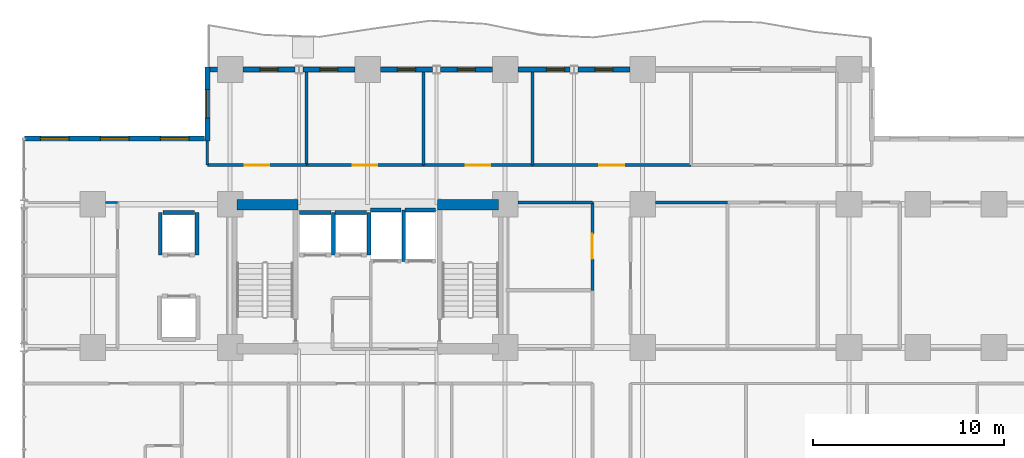
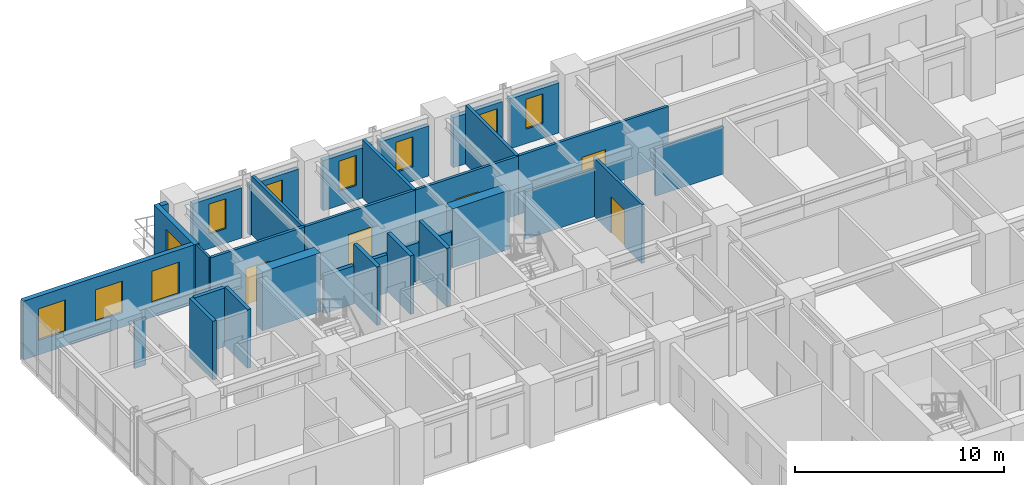
# One storey, part 12 of 17: 33 walls, 10 windows, 5 doors, 15 openings.
"""IFC4 building model written with IfcOpenShell, lengths in metres."""

from ifc_helpers import new_model, si_unit, direction, frame, frame_2d, origin, place, context, subcontext, project, spatial, rectangle, extrude, material, layer, layer_set, type_object, element, fill, save


model = new_model("IFC4")

# Units and contexts
model_context = context("Model", 3, precision=1e-05, world=origin(), true_north=direction((0.0, 1.0)))
body_context = subcontext(model_context, "Body", "Model", "MODEL_VIEW")
ifc_project = project(units=[si_unit("LENGTHUNIT", "METRE"), si_unit("AREAUNIT", "SQUARE_METRE"), si_unit("VOLUMEUNIT", "CUBIC_METRE"), si_unit("PLANEANGLEUNIT", "RADIAN"), si_unit("MASSUNIT", "GRAM", prefix="KILO")], contexts=[model_context])

# Site, building, storey
site_placement = place(None, origin())
site = spatial("IfcSite", under=ifc_project, at=site_placement, CompositionType="ELEMENT")
building_placement = place(site_placement, origin())
building = spatial("IfcBuilding", under=site, at=building_placement, Name="Kaliganga Portal Commons", CompositionType="ELEMENT")
storey_placement = place(building_placement, frame((0.0, 0.0, 62.300048828125)))
storey = spatial("IfcBuildingStorey", under=building, at=storey_placement, Name="L15", CompositionType="ELEMENT", Elevation=62.300048828125)

# Walls
ifc_material_1 = material(Name="Concrete C60/75", Category="concrete")
ifc_layer_1 = layer(ifc_material_1, 0.550048828125)
ifc_layer_set_1 = layer_set([ifc_layer_1], Name="Concrete C60/75")
wall_type_1 = type_object("IfcWallType", Name="WL-CORE-550", PredefinedType="SHEAR", material=ifc_layer_set_1)
for number, where, z_axis, x_axis, name in (
    (1, (14.75, 36.125, 0.0), (0.0, 0.0, 1.0), (1.0, 0.0, 0.0), "Core A N-West Shear Wall L15"),
    (2, (25.25, 36.125, 0.0), (0.0, 0.0, 1.0), (1.0, 0.0, 0.0), "Core A N-East Shear Wall L15"),
):
    element("IfcWall", number, at=place(storey_placement, frame(where, z_axis=z_axis, x_axis=x_axis)), inside=storey, type_object=wall_type_1, Name=name, PredefinedType="SHEAR", context=body_context, shape_type="SweptSolid", body=[
        extrude(rectangle(XDim=3.199951171875, YDim=0.550048828125, at=frame_2d((1.60009765625, 0.0))), origin(), (0.0, 0.0, 1.0), 3.449951171875),
    ])

# Wall, opening, window
ifc_material_2 = material(Name="Insulated Aluminium-Clad Spandrel Assembly", Category="aluminium")
ifc_layer_2 = layer(ifc_material_2, 0.260009765625)
ifc_layer_set_2 = layer_set([ifc_layer_2], Name="Insulated Aluminium-Clad Spandrel Assembly")
wall_type_2 = type_object("IfcWallType", Name="WL-EXT-SPAND-260", PredefinedType="STANDARD", material=ifc_layer_set_2)
wall_1_placement = place(storey_placement, frame((32.60888671875, 43.199951171875, 0.0), z_axis=(0.0, 0.0, 1.0), x_axis=(1.0, 0.0, 0.0)))
wall_1 = element("IfcWall", 3, at=wall_1_placement, inside=storey, type_object=wall_type_2, Name="Exterior Envelope Wall L15 P1-E06-S3", PredefinedType="STANDARD", context=body_context, shape_type="SweptSolid", body=[
    extrude(rectangle(XDim=2.715087890625, YDim=0.260009765625, at=frame_2d((1.357421875, 0.0))), origin(), (0.0, 0.0, 1.0), 2.929931640625),
])
opening_1_placement = place(wall_1_placement, frame((0.882568359375, 0.0, 0.85009765625)))
opening_1 = element("IfcOpeningElement", 4, at=opening_1_placement, cuts=wall_1, Name="Opening W-04", PredefinedType="OPENING", context=body_context, shape_type="SweptSolid", body=[
    extrude(rectangle(XDim=0.949951171875, YDim=1.75, at=frame_2d((0.47509765625, 0.875))), frame((0.0, 0.14013671875, 0.0), z_axis=(0.0, -1.0, 0.0), x_axis=(1.0, 0.0, 0.0)), (0.0, 0.0, 1.0), 0.280029296875),
])
ifc_material_3 = material(Name="Thermally Broken Aluminium and Low-E Double Glazing", Category="aluminium")
window_type_1 = type_object("IfcWindowType", Name="WIN-NARROW-950", PartitioningType="SINGLE_PANEL", PredefinedType="WINDOW", material=ifc_material_3)
window_1_placement = place(opening_1_placement, origin())
window_1 = element("IfcWindow", 5, at=window_1_placement, inside=storey, type_object=window_type_1, Name="Facade Window L15-P1E06S3-00", OverallHeight=1.75, OverallWidth=0.949951171875, PartitioningType="SINGLE_PANEL", PredefinedType="WINDOW", context=body_context, shape_type="SweptSolid", body=[
    extrude(rectangle(XDim=0.949951171875, YDim=1.75, at=frame_2d((0.47509765625, 0.875))), frame((0.0, 0.030029296875, 0.0), z_axis=(0.0, -1.0, 0.0), x_axis=(1.0, 0.0, 0.0)), (0.0, 0.0, 1.0), 0.06005859375),
])
fill(opening_1, window_1)

wall_2_placement = place(storey_placement, frame((29.47607421875, 43.199951171875, 0.0), z_axis=(0.0, 0.0, 1.0), x_axis=(1.0, 0.0, 0.0)))
wall_2 = element("IfcWall", 6, at=wall_2_placement, inside=storey, type_object=wall_type_2, Name="Exterior Envelope Wall L15 P1-E06-S4", PredefinedType="STANDARD", context=body_context, shape_type="SweptSolid", body=[
    extrude(rectangle(XDim=2.71484375, YDim=0.260009765625, at=frame_2d((1.357421875, 0.0))), origin(), (0.0, 0.0, 1.0), 2.929931640625),
])
opening_2_placement = place(wall_2_placement, frame((1.479736328125, 0.0, 0.85009765625)))
opening_2 = element("IfcOpeningElement", 7, at=opening_2_placement, cuts=wall_2, Name="Opening W-04", PredefinedType="OPENING", context=body_context, shape_type="SweptSolid", body=[
    extrude(rectangle(XDim=0.949951171875, YDim=1.75, at=frame_2d((0.47509765625, 0.875))), frame((0.0, 0.14013671875, 0.0), z_axis=(0.0, -1.0, 0.0), x_axis=(1.0, 0.0, 0.0)), (0.0, 0.0, 1.0), 0.280029296875),
])
window_2_placement = place(opening_2_placement, origin())
window_2 = element("IfcWindow", 8, at=window_2_placement, inside=storey, type_object=window_type_1, Name="Facade Window L15-P1E06S4-N4", OverallHeight=1.75, OverallWidth=0.949951171875, PartitioningType="SINGLE_PANEL", PredefinedType="WINDOW", context=body_context, shape_type="SweptSolid", body=[
    extrude(rectangle(XDim=0.949951171875, YDim=1.75, at=frame_2d((0.47509765625, 0.875))), frame((0.0, 0.030029296875, 0.0), z_axis=(0.0, -1.0, 0.0), x_axis=(1.0, 0.0, 0.0)), (0.0, 0.0, 1.0), 0.06005859375),
])
fill(opening_2, window_2)

wall_3_placement = place(storey_placement, frame((25.408935546875, 43.199951171875, 0.0), z_axis=(0.0, 0.0, 1.0), x_axis=(1.0, 0.0, 0.0)))
wall_3 = element("IfcWall", 9, at=wall_3_placement, inside=storey, type_object=wall_type_2, Name="Exterior Envelope Wall L15 P1-E06-S5", PredefinedType="STANDARD", context=body_context, shape_type="SweptSolid", body=[
    extrude(rectangle(XDim=2.715087890625, YDim=0.260009765625, at=frame_2d((1.357421875, 0.0))), origin(), (0.0, 0.0, 1.0), 2.929931640625),
])
opening_3_placement = place(wall_3_placement, frame((0.882568359375, 0.0, 0.85009765625)))
opening_3 = element("IfcOpeningElement", 10, at=opening_3_placement, cuts=wall_3, Name="Opening W-04", PredefinedType="OPENING", context=body_context, shape_type="SweptSolid", body=[
    extrude(rectangle(XDim=0.949951171875, YDim=1.75, at=frame_2d((0.47509765625, 0.875))), frame((0.0, 0.14013671875, 0.0), z_axis=(0.0, -1.0, 0.0), x_axis=(1.0, 0.0, 0.0)), (0.0, 0.0, 1.0), 0.280029296875),
])
window_3_placement = place(opening_3_placement, origin())
window_3 = element("IfcWindow", 11, at=window_3_placement, inside=storey, type_object=window_type_1, Name="Facade Window L15-P1E06S5-00", OverallHeight=1.75, OverallWidth=0.949951171875, PartitioningType="SINGLE_PANEL", PredefinedType="WINDOW", context=body_context, shape_type="SweptSolid", body=[
    extrude(rectangle(XDim=0.949951171875, YDim=1.75, at=frame_2d((0.47509765625, 0.875))), frame((0.0, 0.030029296875, 0.0), z_axis=(0.0, -1.0, 0.0), x_axis=(1.0, 0.0, 0.0)), (0.0, 0.0, 1.0), 0.06005859375),
])
fill(opening_3, window_3)

wall_4_placement = place(storey_placement, frame((22.27587890625, 43.199951171875, 0.0), z_axis=(0.0, 0.0, 1.0), x_axis=(1.0, 0.0, 0.0)))
wall_4 = element("IfcWall", 12, at=wall_4_placement, inside=storey, type_object=wall_type_2, Name="Exterior Envelope Wall L15 P1-E06-S6", PredefinedType="STANDARD", context=body_context, shape_type="SweptSolid", body=[
    extrude(rectangle(XDim=2.715087890625, YDim=0.260009765625, at=frame_2d((1.357421875, 0.0))), origin(), (0.0, 0.0, 1.0), 2.929931640625),
])
opening_4_placement = place(wall_4_placement, frame((0.882568359375, 0.0, 0.85009765625)))
opening_4 = element("IfcOpeningElement", 13, at=opening_4_placement, cuts=wall_4, Name="Opening W-04", PredefinedType="OPENING", context=body_context, shape_type="SweptSolid", body=[
    extrude(rectangle(XDim=0.949951171875, YDim=1.75, at=frame_2d((0.47509765625, 0.875))), frame((0.0, 0.14013671875, 0.0), z_axis=(0.0, -1.0, 0.0), x_axis=(1.0, 0.0, 0.0)), (0.0, 0.0, 1.0), 0.280029296875),
])
window_4_placement = place(opening_4_placement, origin())
window_4 = element("IfcWindow", 14, at=window_4_placement, inside=storey, type_object=window_type_1, Name="Facade Window L15-P1E06S6-00", OverallHeight=1.75, OverallWidth=0.949951171875, PartitioningType="SINGLE_PANEL", PredefinedType="WINDOW", context=body_context, shape_type="SweptSolid", body=[
    extrude(rectangle(XDim=0.949951171875, YDim=1.75, at=frame_2d((0.47509765625, 0.875))), frame((0.0, 0.030029296875, 0.0), z_axis=(0.0, -1.0, 0.0), x_axis=(1.0, 0.0, 0.0)), (0.0, 0.0, 1.0), 0.06005859375),
])
fill(opening_4, window_4)

wall_5_placement = place(storey_placement, frame((18.208984375, 43.199951171875, 0.0), z_axis=(0.0, 0.0, 1.0), x_axis=(1.0, 0.0, 0.0)))
wall_5 = element("IfcWall", 15, at=wall_5_placement, inside=storey, type_object=wall_type_2, Name="Exterior Envelope Wall L15 P1-E06-S7", PredefinedType="STANDARD", context=body_context, shape_type="SweptSolid", body=[
    extrude(rectangle(XDim=2.715087890625, YDim=0.260009765625, at=frame_2d((1.357421875, 0.0))), origin(), (0.0, 0.0, 1.0), 2.929931640625),
])
opening_5_placement = place(wall_5_placement, frame((0.882568359375, 0.0, 0.85009765625)))
opening_5 = element("IfcOpeningElement", 16, at=opening_5_placement, cuts=wall_5, Name="Opening W-04", PredefinedType="OPENING", context=body_context, shape_type="SweptSolid", body=[
    extrude(rectangle(XDim=0.949951171875, YDim=1.75, at=frame_2d((0.47509765625, 0.875))), frame((0.0, 0.14013671875, 0.0), z_axis=(0.0, -1.0, 0.0), x_axis=(1.0, 0.0, 0.0)), (0.0, 0.0, 1.0), 0.280029296875),
])
window_5_placement = place(opening_5_placement, origin())
window_5 = element("IfcWindow", 17, at=window_5_placement, inside=storey, type_object=window_type_1, Name="Facade Window L15-P1E06S7-00", OverallHeight=1.75, OverallWidth=0.949951171875, PartitioningType="SINGLE_PANEL", PredefinedType="WINDOW", context=body_context, shape_type="SweptSolid", body=[
    extrude(rectangle(XDim=0.949951171875, YDim=1.75, at=frame_2d((0.47509765625, 0.875))), frame((0.0, 0.030029296875, 0.0), z_axis=(0.0, -1.0, 0.0), x_axis=(1.0, 0.0, 0.0)), (0.0, 0.0, 1.0), 0.06005859375),
])
fill(opening_5, window_5)

wall_6_placement = place(storey_placement, frame((15.075927734375, 43.199951171875, 0.0), z_axis=(0.0, 0.0, 1.0), x_axis=(1.0, 0.0, 0.0)))
wall_6 = element("IfcWall", 18, at=wall_6_placement, inside=storey, type_object=wall_type_2, Name="Exterior Envelope Wall L15 P1-E06-S8", PredefinedType="STANDARD", context=body_context, shape_type="SweptSolid", body=[
    extrude(rectangle(XDim=2.715087890625, YDim=0.260009765625, at=frame_2d((1.357421875, 0.0))), origin(), (0.0, 0.0, 1.0), 2.929931640625),
])
opening_6_placement = place(wall_6_placement, frame((0.882568359375, 0.0, 0.85009765625)))
opening_6 = element("IfcOpeningElement", 19, at=opening_6_placement, cuts=wall_6, Name="Opening W-04", PredefinedType="OPENING", context=body_context, shape_type="SweptSolid", body=[
    extrude(rectangle(XDim=0.949951171875, YDim=1.75, at=frame_2d((0.47509765625, 0.875))), frame((0.0, 0.14013671875, 0.0), z_axis=(0.0, -1.0, 0.0), x_axis=(1.0, 0.0, 0.0)), (0.0, 0.0, 1.0), 0.280029296875),
])
window_6_placement = place(opening_6_placement, origin())
window_6 = element("IfcWindow", 20, at=window_6_placement, inside=storey, type_object=window_type_1, Name="Facade Window L15-P1E06S8-00", OverallHeight=1.75, OverallWidth=0.949951171875, PartitioningType="SINGLE_PANEL", PredefinedType="WINDOW", context=body_context, shape_type="SweptSolid", body=[
    extrude(rectangle(XDim=0.949951171875, YDim=1.75, at=frame_2d((0.47509765625, 0.875))), frame((0.0, 0.030029296875, 0.0), z_axis=(0.0, -1.0, 0.0), x_axis=(1.0, 0.0, 0.0)), (0.0, 0.0, 1.0), 0.06005859375),
])
fill(opening_6, window_6)

# Wall
wall_7_placement = place(storey_placement, frame((13.3349609375, 43.199951171875, 0.0), z_axis=(0.0, 0.0, 1.0), x_axis=(1.0, 0.0, 0.0)))
element("IfcWall", 21, at=wall_7_placement, inside=storey, type_object=wall_type_2, Name="Exterior Envelope Wall L15 P1-E06-S9", PredefinedType="STANDARD", context=body_context, shape_type="SweptSolid", body=[
    extrude(rectangle(XDim=0.38916015625, YDim=0.260009765625, at=frame_2d((0.194580078125, 0.0))), origin(), (0.0, 0.0, 1.0), 3.429931640625),
])

# Wall, opening, window
wall_8_placement = place(storey_placement, frame((13.199951171875, 39.469970703125, 0.0), z_axis=(0.0, 0.0, 1.0), x_axis=(0.0, 1.0, 0.0)))
wall_8 = element("IfcWall", 22, at=wall_8_placement, inside=storey, type_object=wall_type_2, Name="Exterior Envelope Wall L15 P1-E07-S1", PredefinedType="STANDARD", context=body_context, shape_type="SweptSolid", body=[
    extrude(rectangle(XDim=3.860107421875, YDim=0.260009765625, at=frame_2d((1.93017578125, 0.0))), origin(), (0.0, 0.0, 1.0), 3.429931640625),
])
opening_7_placement = place(wall_8_placement, frame((1.179931640625, 0.0, 0.85009765625)))
opening_7 = element("IfcOpeningElement", 23, at=opening_7_placement, cuts=wall_8, Name="Opening W-02", PredefinedType="OPENING", context=body_context, shape_type="SweptSolid", body=[
    extrude(rectangle(XDim=1.5, YDim=1.85009765625, at=frame_2d((0.75, 0.925048828125))), frame((0.0, 0.14013671875, 0.0), z_axis=(0.0, -1.0, 0.0), x_axis=(1.0, 0.0, 0.0)), (0.0, 0.0, 1.0), 0.280029296875),
])
window_type_2 = type_object("IfcWindowType", Name="WIN-STD-1500", PartitioningType="DOUBLE_PANEL_VERTICAL", PredefinedType="WINDOW", material=ifc_material_3)
window_7_placement = place(opening_7_placement, origin())
window_7 = element("IfcWindow", 24, at=window_7_placement, inside=storey, type_object=window_type_2, Name="Facade Window L15-P1E07S1-00", OverallHeight=1.85009765625, OverallWidth=1.5, PartitioningType="SINGLE_PANEL", PredefinedType="WINDOW", context=body_context, shape_type="SweptSolid", body=[
    extrude(rectangle(XDim=1.5, YDim=1.85009765625, at=frame_2d((0.75, 0.925048828125))), frame((0.0, 0.030029296875, 0.0), z_axis=(0.0, -1.0, 0.0), x_axis=(1.0, 0.0, 0.0)), (0.0, 0.0, 1.0), 0.06005859375),
])
fill(opening_7, window_7)

# Wall, openings, windows
wall_9_placement = place(storey_placement, frame((3.636962890625, 39.60009765625, 0.0), z_axis=(0.0, 0.0, 1.0), x_axis=(1.0, 0.0, 0.0)))
wall_9 = element("IfcWall", 25, at=wall_9_placement, inside=storey, type_object=wall_type_2, Name="Exterior Envelope Wall L15 P1-E08-S1", PredefinedType="STANDARD", context=body_context, shape_type="SweptSolid", body=[
    extrude(rectangle(XDim=9.427978515625, YDim=0.260009765625, at=frame_2d((4.7138671875, 0.0))), origin(), (0.0, 0.0, 1.0), 3.429931640625),
])
opening_8_placement = place(wall_9_placement, frame((0.8212890625, 0.0, 0.85009765625)))
opening_8 = element("IfcOpeningElement", 26, at=opening_8_placement, cuts=wall_9, Name="Opening W-02", PredefinedType="OPENING", context=body_context, shape_type="SweptSolid", body=[
    extrude(rectangle(XDim=1.5, YDim=1.85009765625, at=frame_2d((0.75, 0.925048828125))), frame((0.0, 0.14013671875, 0.0), z_axis=(0.0, -1.0, 0.0), x_axis=(1.0, 0.0, 0.0)), (0.0, 0.0, 1.0), 0.280029296875),
])
opening_9_placement = place(wall_9_placement, frame((3.964111328125, 0.0, 0.85009765625)))
opening_9 = element("IfcOpeningElement", 27, at=opening_9_placement, cuts=wall_9, Name="Opening W-02", PredefinedType="OPENING", context=body_context, shape_type="SweptSolid", body=[
    extrude(rectangle(XDim=1.5, YDim=1.85009765625, at=frame_2d((0.75, 0.925048828125))), frame((0.0, 0.14013671875, 0.0), z_axis=(0.0, -1.0, 0.0), x_axis=(1.0, 0.0, 0.0)), (0.0, 0.0, 1.0), 0.280029296875),
])
opening_10_placement = place(wall_9_placement, frame((7.106689453125, 0.0, 0.85009765625)))
opening_10 = element("IfcOpeningElement", 28, at=opening_10_placement, cuts=wall_9, Name="Opening W-02", PredefinedType="OPENING", context=body_context, shape_type="SweptSolid", body=[
    extrude(rectangle(XDim=1.5, YDim=1.85009765625, at=frame_2d((0.75, 0.925048828125))), frame((0.0, 0.14013671875, 0.0), z_axis=(0.0, -1.0, 0.0), x_axis=(1.0, 0.0, 0.0)), (0.0, 0.0, 1.0), 0.280029296875),
])
window_8_placement = place(opening_8_placement, origin())
window_8 = element("IfcWindow", 29, at=window_8_placement, inside=storey, type_object=window_type_2, Name="Facade Window L15-P1E08S1-00", OverallHeight=1.85009765625, OverallWidth=1.5, PartitioningType="SINGLE_PANEL", PredefinedType="WINDOW", context=body_context, shape_type="SweptSolid", body=[
    extrude(rectangle(XDim=1.5, YDim=1.85009765625, at=frame_2d((0.75, 0.925048828125))), frame((0.0, 0.030029296875, 0.0), z_axis=(0.0, -1.0, 0.0), x_axis=(1.0, 0.0, 0.0)), (0.0, 0.0, 1.0), 0.06005859375),
])
fill(opening_8, window_8)
window_9_placement = place(opening_9_placement, origin())
window_9 = element("IfcWindow", 30, at=window_9_placement, inside=storey, type_object=window_type_2, Name="Facade Window L15-P1E08S1-01", OverallHeight=1.85009765625, OverallWidth=1.5, PartitioningType="SINGLE_PANEL", PredefinedType="WINDOW", context=body_context, shape_type="SweptSolid", body=[
    extrude(rectangle(XDim=1.5, YDim=1.85009765625, at=frame_2d((0.75, 0.925048828125))), frame((0.0, 0.030029296875, 0.0), z_axis=(0.0, -1.0, 0.0), x_axis=(1.0, 0.0, 0.0)), (0.0, 0.0, 1.0), 0.06005859375),
])
fill(opening_9, window_9)
window_10_placement = place(opening_10_placement, origin())
window_10 = element("IfcWindow", 31, at=window_10_placement, inside=storey, type_object=window_type_2, Name="Facade Window L15-P1E08S1-02", OverallHeight=1.85009765625, OverallWidth=1.5, PartitioningType="SINGLE_PANEL", PredefinedType="WINDOW", context=body_context, shape_type="SweptSolid", body=[
    extrude(rectangle(XDim=1.5, YDim=1.85009765625, at=frame_2d((0.75, 0.925048828125))), frame((0.0, 0.030029296875, 0.0), z_axis=(0.0, -1.0, 0.0), x_axis=(1.0, 0.0, 0.0)), (0.0, 0.0, 1.0), 0.06005859375),
])
fill(opening_10, window_10)

# Wall, opening, door
ifc_material_4 = material(Name="Fire-Rated Gypsum Board on Steel Stud", Category="steel")
ifc_layer_3 = layer(ifc_material_4, 0.14990234375)
ifc_layer_set_3 = layer_set([ifc_layer_3], Name="Fire-Rated Gypsum Board on Steel Stud")
wall_type_3 = type_object("IfcWallType", Name="WL-PART-CORR-150", PredefinedType="PARTITIONING", material=ifc_layer_set_3)
wall_10_placement = place(storey_placement, frame((30.219970703125, 38.199951171875, 0.0), z_axis=(0.0, 0.0, 1.0), x_axis=(1.0, 0.0, 0.0)))
wall_10 = element("IfcWall", 32, at=wall_10_placement, inside=storey, type_object=wall_type_3, Name="Interior Partition L15-006", PredefinedType="PARTITIONING", context=body_context, shape_type="SweptSolid", body=[
    extrude(rectangle(XDim=8.300048828125, YDim=0.14990234375, at=frame_2d((4.14990234375, 0.0))), origin(), (0.0, 0.0, 1.0), 3.429931640625),
])
opening_11_placement = place(wall_10_placement, frame((3.5, 0.0, 0.0)))
opening_11 = element("IfcOpeningElement", 33, at=opening_11_placement, cuts=wall_10, Name="Opening RD-03", PredefinedType="OPENING", context=body_context, shape_type="SweptSolid", body=[
    extrude(rectangle(XDim=1.300048828125, YDim=2.1201171875, at=frame_2d((0.64990234375, 1.06005859375))), frame((0.0, 0.0849609375, 0.0), z_axis=(0.0, -1.0, 0.0), x_axis=(1.0, 0.0, 0.0)), (0.0, 0.0, 1.0), 0.169921875),
])
ifc_material_5 = material(Name="Glazed Timber Seminar Vision Door", Category="wood")
door_type = type_object("IfcDoorType", Name="DR-STUDY-1300", OperationType="DOUBLE_DOOR_SINGLE_SWING", PredefinedType="DOOR", material=ifc_material_5)
door_1_placement = place(opening_11_placement, origin())
door_1 = element("IfcDoor", 34, at=door_1_placement, inside=storey, type_object=door_type, Name="Interior Door L15-AN04", OperationType="DOUBLE_DOOR_SINGLE_SWING", OverallHeight=2.1201171875, OverallWidth=1.300048828125, PredefinedType="DOOR", context=body_context, shape_type="SweptSolid", body=[
    extrude(rectangle(XDim=1.300048828125, YDim=2.1201171875, at=frame_2d((0.64990234375, 1.06005859375))), frame((0.0, 0.02490234375, 0.0), z_axis=(0.0, -1.0, 0.0), x_axis=(1.0, 0.0, 0.0)), (0.0, 0.0, 1.0), 0.050048828125),
])
fill(opening_11, door_1)

wall_11_placement = place(storey_placement, frame((18.39990234375, 38.199951171875, 0.0), z_axis=(0.0, 0.0, 1.0), x_axis=(1.0, 0.0, 0.0)))
wall_11 = element("IfcWall", 35, at=wall_11_placement, inside=storey, type_object=wall_type_3, Name="Interior Partition L15-020", PredefinedType="PARTITIONING", context=body_context, shape_type="SweptSolid", body=[
    extrude(rectangle(XDim=6.1201171875, YDim=0.14990234375, at=frame_2d((3.06005859375, 0.0))), origin(), (0.0, 0.0, 1.0), 3.429931640625),
])
opening_12_placement = place(wall_11_placement, frame((2.409912109375, 0.0, 0.0)))
opening_12 = element("IfcOpeningElement", 36, at=opening_12_placement, cuts=wall_11, Name="Opening RD-03", PredefinedType="OPENING", context=body_context, shape_type="SweptSolid", body=[
    extrude(rectangle(XDim=1.300048828125, YDim=2.1201171875, at=frame_2d((0.64990234375, 1.06005859375))), frame((0.0, 0.0849609375, 0.0), z_axis=(0.0, -1.0, 0.0), x_axis=(1.0, 0.0, 0.0)), (0.0, 0.0, 1.0), 0.169921875),
])
door_2_placement = place(opening_12_placement, origin())
door_2 = element("IfcDoor", 37, at=door_2_placement, inside=storey, type_object=door_type, Name="Interior Door L15-AN02", OperationType="DOUBLE_DOOR_SINGLE_SWING", OverallHeight=2.1201171875, OverallWidth=1.300048828125, PredefinedType="DOOR", context=body_context, shape_type="SweptSolid", body=[
    extrude(rectangle(XDim=1.300048828125, YDim=2.1201171875, at=frame_2d((0.64990234375, 1.06005859375))), frame((0.0, 0.02490234375, 0.0), z_axis=(0.0, -1.0, 0.0), x_axis=(1.0, 0.0, 0.0)), (0.0, 0.0, 1.0), 0.050048828125),
])
fill(opening_12, door_2)

wall_12_placement = place(storey_placement, frame((24.52001953125, 38.199951171875, 0.0), z_axis=(0.0, 0.0, 1.0), x_axis=(1.0, 0.0, 0.0)))
wall_12 = element("IfcWall", 38, at=wall_12_placement, inside=storey, type_object=wall_type_3, Name="Interior Partition L15-024", PredefinedType="PARTITIONING", context=body_context, shape_type="SweptSolid", body=[
    extrude(rectangle(XDim=5.699951171875, YDim=0.14990234375, at=frame_2d((2.85009765625, 0.0))), origin(), (0.0, 0.0, 1.0), 3.429931640625),
])
opening_13_placement = place(wall_12_placement, frame((2.199951171875, 0.0, 0.0)))
opening_13 = element("IfcOpeningElement", 39, at=opening_13_placement, cuts=wall_12, Name="Opening RD-03", PredefinedType="OPENING", context=body_context, shape_type="SweptSolid", body=[
    extrude(rectangle(XDim=1.300048828125, YDim=2.1201171875, at=frame_2d((0.64990234375, 1.06005859375))), frame((0.0, 0.0849609375, 0.0), z_axis=(0.0, -1.0, 0.0), x_axis=(1.0, 0.0, 0.0)), (0.0, 0.0, 1.0), 0.169921875),
])
door_3_placement = place(opening_13_placement, origin())
door_3 = element("IfcDoor", 40, at=door_3_placement, inside=storey, type_object=door_type, Name="Interior Door L15-AN03", OperationType="DOUBLE_DOOR_SINGLE_SWING", OverallHeight=2.1201171875, OverallWidth=1.300048828125, PredefinedType="DOOR", context=body_context, shape_type="SweptSolid", body=[
    extrude(rectangle(XDim=1.300048828125, YDim=2.1201171875, at=frame_2d((0.64990234375, 1.06005859375))), frame((0.0, 0.02490234375, 0.0), z_axis=(0.0, -1.0, 0.0), x_axis=(1.0, 0.0, 0.0)), (0.0, 0.0, 1.0), 0.050048828125),
])
fill(opening_13, door_3)

wall_13_placement = place(storey_placement, frame((13.199951171875, 38.199951171875, 0.0), z_axis=(0.0, 0.0, 1.0), x_axis=(1.0, 0.0, 0.0)))
wall_13 = element("IfcWall", 41, at=wall_13_placement, inside=storey, type_object=wall_type_3, Name="Interior Partition L15-026", PredefinedType="PARTITIONING", context=body_context, shape_type="SweptSolid", body=[
    extrude(rectangle(XDim=5.199951171875, YDim=0.14990234375, at=frame_2d((2.60009765625, 0.0))), origin(), (0.0, 0.0, 1.0), 3.429931640625),
])
opening_14_placement = place(wall_13_placement, frame((1.949951171875, 0.0, 0.0)))
opening_14 = element("IfcOpeningElement", 42, at=opening_14_placement, cuts=wall_13, Name="Opening RD-03", PredefinedType="OPENING", context=body_context, shape_type="SweptSolid", body=[
    extrude(rectangle(XDim=1.300048828125, YDim=2.1201171875, at=frame_2d((0.64990234375, 1.06005859375))), frame((0.0, 0.0849609375, 0.0), z_axis=(0.0, -1.0, 0.0), x_axis=(1.0, 0.0, 0.0)), (0.0, 0.0, 1.0), 0.169921875),
])
door_4_placement = place(opening_14_placement, origin())
door_4 = element("IfcDoor", 43, at=door_4_placement, inside=storey, type_object=door_type, Name="Interior Door L15-AN01", OperationType="DOUBLE_DOOR_SINGLE_SWING", OverallHeight=2.1201171875, OverallWidth=1.300048828125, PredefinedType="DOOR", context=body_context, shape_type="SweptSolid", body=[
    extrude(rectangle(XDim=1.300048828125, YDim=2.1201171875, at=frame_2d((0.64990234375, 1.06005859375))), frame((0.0, 0.02490234375, 0.0), z_axis=(0.0, -1.0, 0.0), x_axis=(1.0, 0.0, 0.0)), (0.0, 0.0, 1.0), 0.050048828125),
])
fill(opening_14, door_4)

# Wall
wall_14_placement = place(storey_placement, frame((36.675048828125, 36.239990234375, 0.0), z_axis=(0.0, 0.0, 1.0), x_axis=(1.0, 0.0, 0.0)))
element("IfcWall", 44, at=wall_14_placement, inside=storey, type_object=wall_type_3, Name="Interior Partition L15-028", PredefinedType="PARTITIONING", context=body_context, shape_type="SweptSolid", body=[
    extrude(rectangle(XDim=3.764892578125, YDim=0.14990234375, at=frame_2d((1.88232421875, 0.0))), origin(), (0.0, 0.0, 1.0), 2.780029296875),
])

# Wall, opening, door
wall_15_placement = place(storey_placement, frame((33.360107421875, 31.639892578125, 0.0), z_axis=(0.0, 0.0, 1.0), x_axis=(0.0, 1.0, 0.0)))
wall_15 = element("IfcWall", 45, at=wall_15_placement, inside=storey, type_object=wall_type_3, Name="Interior Partition L15-032", PredefinedType="PARTITIONING", context=body_context, shape_type="SweptSolid", body=[
    extrude(rectangle(XDim=4.60009765625, YDim=0.14990234375, at=frame_2d((2.300048828125, 0.0))), origin(), (0.0, 0.0, 1.0), 3.429931640625),
])
opening_15_placement = place(wall_15_placement, frame((1.64990234375, 0.0, 0.0)))
opening_15 = element("IfcOpeningElement", 46, at=opening_15_placement, cuts=wall_15, Name="Opening RD-03", PredefinedType="OPENING", context=body_context, shape_type="SweptSolid", body=[
    extrude(rectangle(XDim=1.300048828125, YDim=2.1201171875, at=frame_2d((0.64990234375, 1.06005859375))), frame((0.0, 0.0849609375, 0.0), z_axis=(0.0, -1.0, 0.0), x_axis=(1.0, 0.0, 0.0)), (0.0, 0.0, 1.0), 0.169921875),
])
door_5_placement = place(opening_15_placement, origin())
door_5 = element("IfcDoor", 47, at=door_5_placement, inside=storey, type_object=door_type, Name="Interior Door L15-CSRV_A2", OperationType="DOUBLE_DOOR_SINGLE_SWING", OverallHeight=2.1201171875, OverallWidth=1.300048828125, PredefinedType="DOOR", context=body_context, shape_type="SweptSolid", body=[
    extrude(rectangle(XDim=1.300048828125, YDim=2.1201171875, at=frame_2d((0.64990234375, 1.06005859375))), frame((0.0, 0.02490234375, 0.0), z_axis=(0.0, -1.0, 0.0), x_axis=(1.0, 0.0, 0.0)), (0.0, 0.0, 1.0), 0.050048828125),
])
fill(opening_15, door_5)

# Walls
wall_16_placement = place(storey_placement, frame((29.47509765625, 36.239990234375, 0.0), z_axis=(0.0, 0.0, 1.0), x_axis=(1.0, 0.0, 0.0)))
element("IfcWall", 48, at=wall_16_placement, inside=storey, type_object=wall_type_3, Name="Interior Partition L15-035", PredefinedType="PARTITIONING", context=body_context, shape_type="SweptSolid", body=[
    extrude(rectangle(XDim=3.885009765625, YDim=0.14990234375, at=frame_2d((1.9423828125, 0.0))), origin(), (0.0, 0.0, 1.0), 2.780029296875),
])
ifc_material_6 = material(Name="Moisture-Resistant Gypsum Partition", Category="gypsum")
ifc_layer_4 = layer(ifc_material_6, 0.114990234375)
ifc_layer_set_4 = layer_set([ifc_layer_4], Name="Moisture-Resistant Gypsum Partition")
wall_type_4 = type_object("IfcWallType", Name="WL-PART-ROOM-115", PredefinedType="PARTITIONING", material=ifc_layer_set_4)
wall_17_placement = place(storey_placement, frame((13.199951171875, 38.199951171875, 0.0), z_axis=(0.0, 0.0, 1.0), x_axis=(0.0, 1.0, 0.0)))
element("IfcWall", 49, at=wall_17_placement, inside=storey, type_object=wall_type_4, Name="Interior Partition L15-063", PredefinedType="PARTITIONING", context=body_context, shape_type="SweptSolid", body=[
    extrude(rectangle(XDim=1.26806640625, YDim=0.114990234375, at=frame_2d((0.634033203125, 0.0))), origin(), (0.0, 0.0, 1.0), 3.429931640625),
])
wall_18_placement = place(storey_placement, frame((7.875, 36.239990234375, 0.0), z_axis=(0.0, 0.0, 1.0), x_axis=(1.0, 0.0, 0.0)))
element("IfcWall", 50, at=wall_18_placement, inside=storey, type_object=wall_type_4, Name="Interior Partition L15-072", PredefinedType="PARTITIONING", context=body_context, shape_type="SweptSolid", body=[
    extrude(rectangle(XDim=0.625, YDim=0.114990234375, at=frame_2d((0.3125, 0.0))), origin(), (0.0, 0.0, 1.0), 2.780029296875),
])
ifc_material_7 = material(Name="Twin-Stud Acoustic Gypsum Partition", Category="gypsum")
ifc_layer_5 = layer(ifc_material_7, 0.1650390625)
ifc_layer_set_5 = layer_set([ifc_layer_5], Name="Twin-Stud Acoustic Gypsum Partition")
wall_type_5 = type_object("IfcWallType", Name="WL-PART-UNIT-165", PredefinedType="PARTITIONING", material=ifc_layer_set_5)
for number, where, z_axis, x_axis, name in (
    (51, (18.39990234375, 38.199951171875, 0.0), (0.0, 0.0, 1.0), (0.0, 1.0, 0.0), "Interior Partition L15-064"),
    (52, (24.52001953125, 38.199951171875, 0.0), (0.0, 0.0, 1.0), (0.0, 1.0, 0.0), "Interior Partition L15-065"),
    (53, (30.219970703125, 38.199951171875, 0.0), (0.0, 0.0, 1.0), (0.0, 1.0, 0.0), "Interior Partition L15-066"),
):
    element("IfcWall", number, at=place(storey_placement, frame(where, z_axis=z_axis, x_axis=x_axis)), inside=storey, type_object=wall_type_5, Name=name, PredefinedType="PARTITIONING", context=body_context, shape_type="SweptSolid", body=[
        extrude(rectangle(XDim=4.8681640625, YDim=0.1650390625, at=frame_2d((2.43408203125, 0.0))), origin(), (0.0, 0.0, 1.0), 3.429931640625),
    ])
ifc_material_8 = material(Name="Fire-Rated Shaftwall Masonry Assembly", Category="masonry")
ifc_layer_6 = layer(ifc_material_8, 0.199951171875)
ifc_layer_set_6 = layer_set([ifc_layer_6], Name="Fire-Rated Shaftwall Masonry Assembly")
wall_type_6 = type_object("IfcWallType", Name="WL-SHAFT-200", PredefinedType="PARTITIONING", material=ifc_layer_set_6)
wall_19_placement = place(storey_placement, frame((18.02490234375, 35.715087890625, 0.0), z_axis=(0.0, 0.0, 1.0), x_axis=(1.0, 0.0, 0.0)))
element("IfcWall", 54, at=wall_19_placement, inside=storey, type_object=wall_type_6, Name="Lift PL-A1 Hoistway Shaft Wall L15-N", PredefinedType="PARTITIONING", context=body_context, shape_type="SweptSolid", body=[
    extrude(rectangle(XDim=1.650146484375, YDim=0.199951171875, at=frame_2d((0.8251953125, 0.0))), origin(), (0.0, 0.0, 1.0), 2.22998046875),
])
wall_20_placement = place(storey_placement, frame((19.81494140625, 33.485107421875, 0.0), z_axis=(0.0, 0.0, 1.0), x_axis=(0.0, 1.0, 0.0)))
element("IfcWall", 55, at=wall_20_placement, inside=storey, type_object=wall_type_6, Name="Lift PL-A1 Hoistway Shaft Wall L15-E", PredefinedType="PARTITIONING", context=body_context, shape_type="SweptSolid", body=[
    extrude(rectangle(XDim=2.22998046875, YDim=0.199951171875, at=frame_2d((1.114990234375, 0.0))), origin(), (0.0, 0.0, 1.0), 3.429931640625),
])
wall_21_placement = place(storey_placement, frame((19.875, 35.715087890625, 0.0), z_axis=(0.0, 0.0, 1.0), x_axis=(1.0, 0.0, 0.0)))
element("IfcWall", 56, at=wall_21_placement, inside=storey, type_object=wall_type_6, Name="Lift PL-A2 Hoistway Shaft Wall L15-N", PredefinedType="PARTITIONING", context=body_context, shape_type="SweptSolid", body=[
    extrude(rectangle(XDim=1.64990234375, YDim=0.199951171875, at=frame_2d((0.824951171875, 0.0))), origin(), (0.0, 0.0, 1.0), 2.22998046875),
])
wall_22_placement = place(storey_placement, frame((21.6650390625, 33.485107421875, 0.0), z_axis=(0.0, 0.0, 1.0), x_axis=(0.0, 1.0, 0.0)))
element("IfcWall", 57, at=wall_22_placement, inside=storey, type_object=wall_type_6, Name="Lift PL-A2 Hoistway Shaft Wall L15-E", PredefinedType="PARTITIONING", context=body_context, shape_type="SweptSolid", body=[
    extrude(rectangle(XDim=2.22998046875, YDim=0.199951171875, at=frame_2d((1.114990234375, 0.0))), origin(), (0.0, 0.0, 1.0), 3.429931640625),
])
wall_23_placement = place(storey_placement, frame((10.875, 35.715087890625, 0.0), z_axis=(0.0, 0.0, 1.0), x_axis=(1.0, 0.0, 0.0)))
element("IfcWall", 58, at=wall_23_placement, inside=storey, type_object=wall_type_6, Name="Lift PL-OBS Hoistway Shaft Wall L15-N", PredefinedType="PARTITIONING", context=body_context, shape_type="SweptSolid", body=[
    extrude(rectangle(XDim=1.64990234375, YDim=0.199951171875, at=frame_2d((0.824951171875, 0.0))), origin(), (0.0, 0.0, 1.0), 3.429931640625),
])
for number, where, z_axis, x_axis, name in (
    (59, (10.735107421875, 33.485107421875, 0.0), (0.0, 0.0, 1.0), (0.0, 1.0, 0.0), "Lift PL-OBS Hoistway Shaft Wall L15-W"),
    (60, (12.6650390625, 33.485107421875, 0.0), (0.0, 0.0, 1.0), (0.0, 1.0, 0.0), "Lift PL-OBS Hoistway Shaft Wall L15-E"),
):
    element("IfcWall", number, at=place(storey_placement, frame(where, z_axis=z_axis, x_axis=x_axis)), inside=storey, type_object=wall_type_6, Name=name, PredefinedType="PARTITIONING", context=body_context, shape_type="SweptSolid", body=[
        extrude(rectangle(XDim=2.22998046875, YDim=0.199951171875, at=frame_2d((1.114990234375, 0.0))), origin(), (0.0, 0.0, 1.0), 3.429931640625),
    ])
wall_24_placement = place(storey_placement, frame((21.75, 35.840087890625, 0.0), z_axis=(0.0, 0.0, 1.0), x_axis=(1.0, 0.0, 0.0)))
element("IfcWall", 61, at=wall_24_placement, inside=storey, type_object=wall_type_6, Name="Lift FFL-1 Hoistway Shaft Wall L15-N", PredefinedType="PARTITIONING", context=body_context, shape_type="SweptSolid", body=[
    extrude(rectangle(XDim=1.60009765625, YDim=0.199951171875, at=frame_2d((0.800048828125, 0.0))), origin(), (0.0, 0.0, 1.0), 2.22998046875),
])
wall_25_placement = place(storey_placement, frame((23.489990234375, 33.159912109375, 0.0), z_axis=(0.0, 0.0, 1.0), x_axis=(0.0, 1.0, 0.0)))
element("IfcWall", 62, at=wall_25_placement, inside=storey, type_object=wall_type_6, Name="Lift FFL-1 Hoistway Shaft Wall L15-E", PredefinedType="PARTITIONING", context=body_context, shape_type="SweptSolid", body=[
    extrude(rectangle(XDim=2.68017578125, YDim=0.199951171875, at=frame_2d((1.340087890625, 0.0))), origin(), (0.0, 0.0, 1.0), 3.429931640625),
])
wall_26_placement = place(storey_placement, frame((23.550048828125, 35.840087890625, 0.0), z_axis=(0.0, 0.0, 1.0), x_axis=(1.0, 0.0, 0.0)))
element("IfcWall", 63, at=wall_26_placement, inside=storey, type_object=wall_type_6, Name="Lift FFL-2 Hoistway Shaft Wall L15-N", PredefinedType="PARTITIONING", context=body_context, shape_type="SweptSolid", body=[
    extrude(rectangle(XDim=1.599853515625, YDim=0.199951171875, at=frame_2d((0.7998046875, 0.0))), origin(), (0.0, 0.0, 1.0), 2.22998046875),
])

save(model, "model.ifc")
